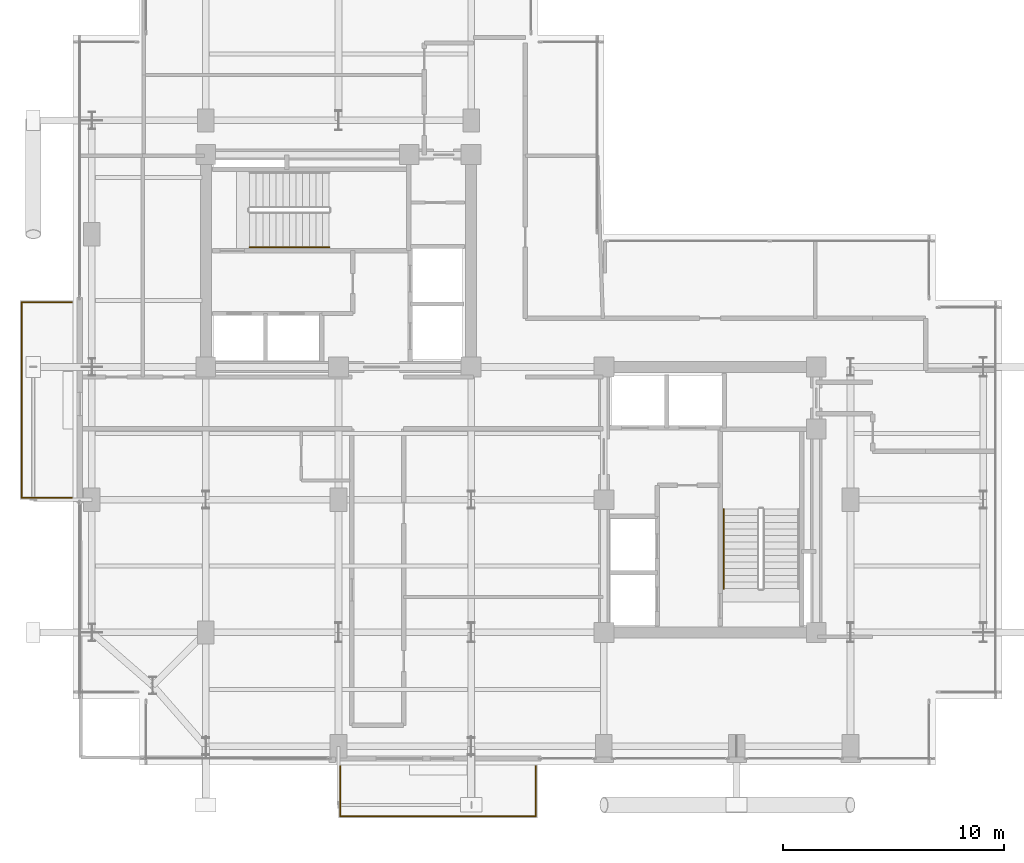
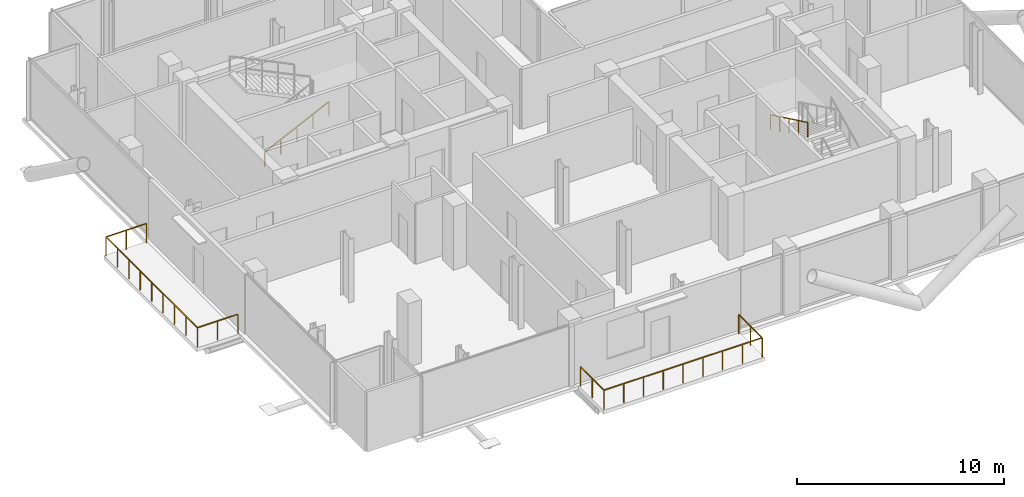
# One storey, part 20 of 21: 4 railings.
"""IFC4 building model written with IfcOpenShell, lengths in metres."""

from ifc_helpers import new_model, si_unit, direction, frame, origin, origin_2d, place, context, subcontext, project, spatial, rectangle, extrude, material, type_object, element, save


model = new_model("IFC4")

# Units and contexts
model_context = context("Model", 3, precision=1e-05, world=origin(), true_north=direction((0.0, 1.0)))
body_context = subcontext(model_context, "Body", "Model", "MODEL_VIEW")
ifc_project = project(units=[si_unit("LENGTHUNIT", "METRE"), si_unit("AREAUNIT", "SQUARE_METRE"), si_unit("VOLUMEUNIT", "CUBIC_METRE"), si_unit("PLANEANGLEUNIT", "RADIAN"), si_unit("MASSUNIT", "GRAM", prefix="KILO"), si_unit("THERMODYNAMICTEMPERATUREUNIT", "KELVIN"), si_unit("POWERUNIT", "WATT")], contexts=[model_context])

# Site, building, storey
site_placement = place(None, origin())
site = spatial("IfcSite", under=ifc_project, at=site_placement, CompositionType="ELEMENT")
building_placement = place(site_placement, origin())
building = spatial("IfcBuilding", under=site, at=building_placement, Name="Svarakhadi Broadcast Tower", CompositionType="ELEMENT")
storey_placement = place(building_placement, frame((0.0, 0.0, 219.89990234375)))
storey = spatial("IfcBuildingStorey", under=building, at=storey_placement, Name="L54", CompositionType="ELEMENT", Elevation=219.89990234375)

# Railings
ifc_material_1 = material(Name="Laminated Structural SentryGlas Balustrade 25.5 mm", Category="glass")
railing_type_1 = type_object("IfcRailingType", Name="Guard_Balcony_GR01", PredefinedType="BALUSTRADE", material=ifc_material_1)
railing_1_placement = place(storey_placement, frame((12.080078125, -0.06005859375, 0.0)))
element("IfcRailing", 1, at=railing_1_placement, inside=storey, type_object=railing_type_1, Name="L54 South Tree Balcony Guard GR-05", PredefinedType="BALUSTRADE", context=body_context, shape_type="SweptSolid", body=[
    extrude(rectangle(XDim=0.048095703125, YDim=0.048095703125, at=origin_2d()), frame((0.0, 0.0, 1.1259765625), z_axis=(0.0, -1.0, 0.0), x_axis=(1.0, 0.0, 0.0)), (0.0, 0.0, 1.0), 2.260009765625),
    extrude(rectangle(XDim=0.048095703125, YDim=0.048095703125, at=origin_2d()), frame((0.0, -2.260009765625, 1.1259765625), z_axis=(1.0, 0.0, 0.0), x_axis=(0.0, 1.0, 0.0)), (0.0, 0.0, 1.0), 8.83984375),
    extrude(rectangle(XDim=0.048095703125, YDim=0.048095703125, at=origin_2d()), frame((8.83984375, -2.260009765625, 1.1259765625), z_axis=(0.0, 1.0, 0.0), x_axis=(-1.0, 0.0, 0.0)), (0.0, 0.0, 1.0), 2.260009765625),
    extrude(rectangle(XDim=0.0419921875, YDim=0.0419921875, at=origin_2d()), origin(), (0.0, 0.0, 1.0), 1.101806640625),
    extrude(rectangle(XDim=0.0419921875, YDim=0.0419921875, at=origin_2d()), frame((0.0, -1.1298828125, 0.0)), (0.0, 0.0, 1.0), 1.101806640625),
    extrude(rectangle(XDim=0.0419921875, YDim=0.0419921875, at=origin_2d()), frame((0.0, -2.260009765625, 0.0)), (0.0, 0.0, 1.0), 1.101806640625),
    extrude(rectangle(XDim=0.0419921875, YDim=0.0419921875, at=origin_2d()), frame((1.10498046875, -2.260009765625, 0.0)), (0.0, 0.0, 1.0), 1.101806640625),
    extrude(rectangle(XDim=0.0419921875, YDim=0.0419921875, at=origin_2d()), frame((2.2099609375, -2.260009765625, 0.0)), (0.0, 0.0, 1.0), 1.101806640625),
    extrude(rectangle(XDim=0.0419921875, YDim=0.0419921875, at=origin_2d()), frame((3.31494140625, -2.260009765625, 0.0)), (0.0, 0.0, 1.0), 1.101806640625),
    extrude(rectangle(XDim=0.0419921875, YDim=0.0419921875, at=origin_2d()), frame((4.419921875, -2.260009765625, 0.0)), (0.0, 0.0, 1.0), 1.101806640625),
    extrude(rectangle(XDim=0.0419921875, YDim=0.0419921875, at=origin_2d()), frame((5.52490234375, -2.260009765625, 0.0)), (0.0, 0.0, 1.0), 1.101806640625),
    extrude(rectangle(XDim=0.0419921875, YDim=0.0419921875, at=origin_2d()), frame((6.6298828125, -2.260009765625, 0.0)), (0.0, 0.0, 1.0), 1.101806640625),
    extrude(rectangle(XDim=0.0419921875, YDim=0.0419921875, at=origin_2d()), frame((7.73486328125, -2.260009765625, 0.0)), (0.0, 0.0, 1.0), 1.101806640625),
    extrude(rectangle(XDim=0.0419921875, YDim=0.0419921875, at=origin_2d()), frame((8.83984375, -2.260009765625, 0.0)), (0.0, 0.0, 1.0), 1.101806640625),
    extrude(rectangle(XDim=0.0419921875, YDim=0.0419921875, at=origin_2d()), frame((8.83984375, -1.1298828125, 0.0)), (0.0, 0.0, 1.0), 1.101806640625),
    extrude(rectangle(XDim=0.0419921875, YDim=0.0419921875, at=origin_2d()), frame((8.83984375, 0.0, 0.0)), (0.0, 0.0, 1.0), 1.101806640625),
])
railing_2_placement = place(storey_placement, frame((-0.06005859375, 12.080078125, 0.0)))
element("IfcRailing", 2, at=railing_2_placement, inside=storey, type_object=railing_type_1, Name="L54 West Tree Balcony Guard GR-05", PredefinedType="BALUSTRADE", context=body_context, shape_type="SweptSolid", body=[
    extrude(rectangle(XDim=0.048095703125, YDim=0.048095703125, at=origin_2d()), frame((0.0, 0.0, 1.1259765625), z_axis=(-1.0, 0.0, 0.0), x_axis=(0.0, -1.0, 0.0)), (0.0, 0.0, 1.0), 2.260009765625),
    extrude(rectangle(XDim=0.048095703125, YDim=0.048095703125, at=origin_2d()), frame((-2.260009765625, 0.0, 1.1259765625), z_axis=(0.0, 1.0, 0.0), x_axis=(-1.0, 0.0, 0.0)), (0.0, 0.0, 1.0), 8.83984375),
    extrude(rectangle(XDim=0.048095703125, YDim=0.048095703125, at=origin_2d()), frame((-2.260009765625, 8.83984375, 1.1259765625), z_axis=(1.0, 0.0, 0.0), x_axis=(0.0, 1.0, 0.0)), (0.0, 0.0, 1.0), 2.260009765625),
    extrude(rectangle(XDim=0.0419921875, YDim=0.0419921875, at=origin_2d()), origin(), (0.0, 0.0, 1.0), 1.101806640625),
    extrude(rectangle(XDim=0.0419921875, YDim=0.0419921875, at=origin_2d()), frame((-1.1298828125, 0.0, 0.0)), (0.0, 0.0, 1.0), 1.101806640625),
    extrude(rectangle(XDim=0.0419921875, YDim=0.0419921875, at=origin_2d()), frame((-2.260009765625, 0.0, 0.0)), (0.0, 0.0, 1.0), 1.101806640625),
    extrude(rectangle(XDim=0.0419921875, YDim=0.0419921875, at=origin_2d()), frame((-2.260009765625, 1.10498046875, 0.0)), (0.0, 0.0, 1.0), 1.101806640625),
    extrude(rectangle(XDim=0.0419921875, YDim=0.0419921875, at=origin_2d()), frame((-2.260009765625, 2.2099609375, 0.0)), (0.0, 0.0, 1.0), 1.101806640625),
    extrude(rectangle(XDim=0.0419921875, YDim=0.0419921875, at=origin_2d()), frame((-2.260009765625, 3.31494140625, 0.0)), (0.0, 0.0, 1.0), 1.101806640625),
    extrude(rectangle(XDim=0.0419921875, YDim=0.0419921875, at=origin_2d()), frame((-2.260009765625, 4.419921875, 0.0)), (0.0, 0.0, 1.0), 1.101806640625),
    extrude(rectangle(XDim=0.0419921875, YDim=0.0419921875, at=origin_2d()), frame((-2.260009765625, 5.52490234375, 0.0)), (0.0, 0.0, 1.0), 1.101806640625),
    extrude(rectangle(XDim=0.0419921875, YDim=0.0419921875, at=origin_2d()), frame((-2.260009765625, 6.6298828125, 0.0)), (0.0, 0.0, 1.0), 1.101806640625),
    extrude(rectangle(XDim=0.0419921875, YDim=0.0419921875, at=origin_2d()), frame((-2.260009765625, 7.73486328125, 0.0)), (0.0, 0.0, 1.0), 1.101806640625),
    extrude(rectangle(XDim=0.0419921875, YDim=0.0419921875, at=origin_2d()), frame((-2.260009765625, 8.83984375, 0.0)), (0.0, 0.0, 1.0), 1.101806640625),
    extrude(rectangle(XDim=0.0419921875, YDim=0.0419921875, at=origin_2d()), frame((-1.1298828125, 8.83984375, 0.0)), (0.0, 0.0, 1.0), 1.101806640625),
    extrude(rectangle(XDim=0.0419921875, YDim=0.0419921875, at=origin_2d()), frame((0.0, 8.83984375, 0.0)), (0.0, 0.0, 1.0), 1.101806640625),
])
ifc_material_2 = material(Name="Anodised Bronze Aluminium AA 6063-T6", Category="aluminium")
railing_type_2 = type_object("IfcRailingType", Name="Handrail_Stair_HR01", PredefinedType="HANDRAIL", material=ifc_material_2)
railing_3_placement = place(storey_placement, frame((7.97998046875, 23.409912109375, 0.144287109375)))
element("IfcRailing", 3, at=railing_3_placement, inside=storey, type_object=railing_type_2, Name="L54 ST-01 stair handrail 1", PredefinedType="HANDRAIL", context=body_context, shape_type="SweptSolid", body=[
    extrude(rectangle(XDim=0.048095703125, YDim=0.048095703125, at=origin_2d()), frame((0.0, 0.0, 0.8759765625), z_axis=(0.901262522062, 0.0, 0.433273431364), x_axis=(0.0, 1.0, 0.0)), (0.0, 0.0, 1.0), 3.994384765625),
    extrude(rectangle(XDim=0.0419921875, YDim=0.0419921875, at=origin_2d()), origin(), (0.0, 0.0, 1.0), 0.851806640625),
    extrude(rectangle(XDim=0.0419921875, YDim=0.0419921875, at=origin_2d()), frame((0.89990234375, 0.0, 0.4326171875)), (0.0, 0.0, 1.0), 0.851806640625),
    extrude(rectangle(XDim=0.0419921875, YDim=0.0419921875, at=origin_2d()), frame((1.800048828125, 0.0, 0.865234375)), (0.0, 0.0, 1.0), 0.851806640625),
    extrude(rectangle(XDim=0.0419921875, YDim=0.0419921875, at=origin_2d()), frame((2.7001953125, 0.0, 1.298095703125)), (0.0, 0.0, 1.0), 0.851806640625),
    extrude(rectangle(XDim=0.0419921875, YDim=0.0419921875, at=origin_2d()), frame((3.60009765625, 0.0, 1.730712890625)), (0.0, 0.0, 1.0), 0.851806640625),
])
railing_4_placement = place(storey_placement, frame((29.409912109375, 11.580078125, 2.019287109375)))
element("IfcRailing", 4, at=railing_4_placement, inside=storey, type_object=railing_type_2, Name="L54 ST-02 stair handrail 2", PredefinedType="HANDRAIL", context=body_context, shape_type="SweptSolid", body=[
    extrude(rectangle(XDim=0.048095703125, YDim=0.048095703125, at=origin_2d()), frame((0.0, 0.0, 0.8759765625), z_axis=(0.0, -0.901262522062, 0.433273431364), x_axis=(1.0, 0.0, 0.0)), (0.0, 0.0, 1.0), 3.994384765625),
    extrude(rectangle(XDim=0.0419921875, YDim=0.0419921875, at=origin_2d()), origin(), (0.0, 0.0, 1.0), 0.851806640625),
    extrude(rectangle(XDim=0.0419921875, YDim=0.0419921875, at=origin_2d()), frame((0.0, -0.89990234375, 0.4326171875)), (0.0, 0.0, 1.0), 0.851806640625),
    extrude(rectangle(XDim=0.0419921875, YDim=0.0419921875, at=origin_2d()), frame((0.0, -1.800048828125, 0.865234375)), (0.0, 0.0, 1.0), 0.851806640625),
    extrude(rectangle(XDim=0.0419921875, YDim=0.0419921875, at=origin_2d()), frame((0.0, -2.7001953125, 1.298095703125)), (0.0, 0.0, 1.0), 0.851806640625),
    extrude(rectangle(XDim=0.0419921875, YDim=0.0419921875, at=origin_2d()), frame((0.0, -3.60009765625, 1.730712890625)), (0.0, 0.0, 1.0), 0.851806640625),
])

save(model, "model.ifc")
